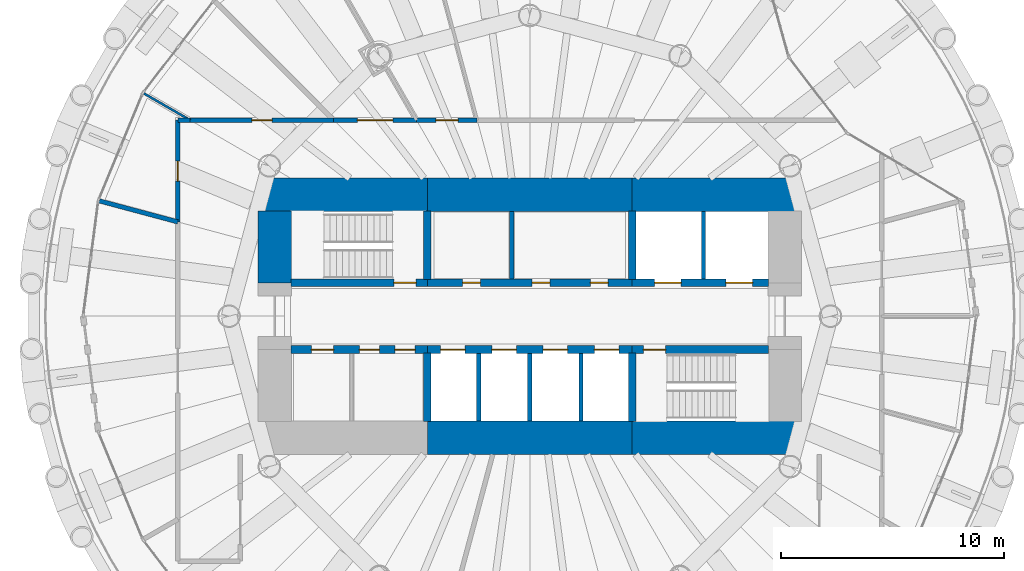
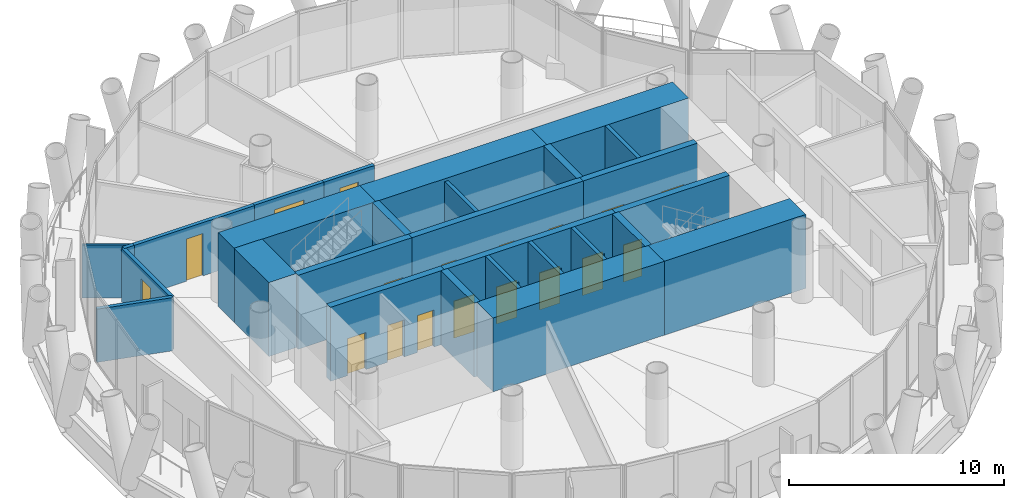
# One storey, part 9 of 14: 28 walls, 18 doors, 18 openings.
"""IFC4 building model written with IfcOpenShell, lengths in metres."""

from ifc_helpers import new_model, si_unit, direction, frame, frame_2d, origin, place, context, subcontext, project, spatial, rectangle, extrude, material, layer, layer_set, type_object, element, fill, save


model = new_model("IFC4")

# Units and contexts
model_context = context("Model", 3, precision=1e-05, world=origin(), true_north=direction((0.0, 1.0)))
body_context = subcontext(model_context, "Body", "Model", "MODEL_VIEW")
ifc_project = project(units=[si_unit("LENGTHUNIT", "METRE"), si_unit("AREAUNIT", "SQUARE_METRE"), si_unit("VOLUMEUNIT", "CUBIC_METRE"), si_unit("PLANEANGLEUNIT", "RADIAN"), si_unit("MASSUNIT", "GRAM", prefix="KILO")], contexts=[model_context])

# Site, building, storey
site_placement = place(None, origin())
site = spatial("IfcSite", under=ifc_project, at=site_placement, CompositionType="ELEMENT")
building_placement = place(site_placement, origin())
building = spatial("IfcBuilding", under=site, at=building_placement, Name="Qaws Media Tower", CompositionType="ELEMENT")
storey_placement = place(building_placement, frame((0.0, 0.0, 236.0)))
storey = spatial("IfcBuildingStorey", under=building, at=storey_placement, Name="L54", CompositionType="ELEMENT", Elevation=236.0)

# Wall, opening, door
ifc_material_1 = material(Name="Concrete C60/75", Category="concrete")
ifc_layer_1 = layer(ifc_material_1, 0.35009765625)
ifc_layer_set_1 = layer_set([ifc_layer_1], Name="Core inner wall 350")
wall_type_1 = type_object("IfcWallType", Name="Core inner wall 350", PredefinedType="SHEAR", material=ifc_layer_set_1)
wall_1_placement = place(storey_placement, frame((49.280029296875, 51.5, 0.0), z_axis=(0.0, 0.0, 1.0), x_axis=(1.0, 0.0, 0.0)))
wall_1 = element("IfcWall", 1, at=wall_1_placement, inside=storey, type_object=wall_type_1, Name="W301 SW5 core wall SPNW L54", PredefinedType="SHEAR", context=body_context, shape_type="SweptSolid", body=[
    extrude(rectangle(XDim=6.119873046875, YDim=0.35009765625, at=frame_2d((3.06005859375, 0.0))), origin(), (0.0, 0.0, 1.0), 4.199951171875),
])
opening_1_placement = place(wall_1_placement, frame((4.6201171875, 0.0, 0.0)))
opening_1 = element("IfcOpeningElement", 2, at=opening_1_placement, cuts=wall_1, Name="Opening D1", PredefinedType="OPENING", context=body_context, shape_type="SweptSolid", body=[
    extrude(rectangle(XDim=1.0, YDim=2.10009765625, at=frame_2d((0.5, 1.050048828125))), frame((0.0, 0.18505859375, 0.0), z_axis=(0.0, -1.0, 0.0), x_axis=(1.0, 0.0, 0.0)), (0.0, 0.0, 1.0), 0.3701171875),
])
ifc_material_2 = material(Name="Steel, fire rated", Category="steel")
door_type_1 = type_object("IfcDoorType", Name="Stair door 1000 FD120", OperationType="SINGLE_SWING_LEFT", PredefinedType="DOOR", material=ifc_material_2)
door_1_placement = place(opening_1_placement, origin())
door_1 = element("IfcDoor", 3, at=door_1_placement, inside=storey, type_object=door_type_1, Name="D1 stair S1 door L54 in wall W301", OperationType="SINGLE_SWING_LEFT", OverallHeight=2.10009765625, OverallWidth=1.0, PredefinedType="DOOR", context=body_context, shape_type="SweptSolid", body=[
    extrude(rectangle(XDim=1.0, YDim=2.10009765625, at=frame_2d((0.5, 1.050048828125))), frame((0.0, 0.02490234375, 0.0), z_axis=(0.0, -1.0, 0.0), x_axis=(1.0, 0.0, 0.0)), (0.0, 0.0, 1.0), 0.050048828125),
])
fill(opening_1, door_1)

# Wall, openings, doors
wall_2_placement = place(storey_placement, frame((55.39990234375, 51.5, 0.0), z_axis=(0.0, 0.0, 1.0), x_axis=(1.0, 0.0, 0.0)))
wall_2 = element("IfcWall", 4, at=wall_2_placement, inside=storey, type_object=wall_type_1, Name="W304 SW5 core wall SPN L54", PredefinedType="SHEAR", context=body_context, shape_type="SweptSolid", body=[
    extrude(rectangle(XDim=9.2001953125, YDim=0.35009765625, at=frame_2d((4.60009765625, 0.0))), origin(), (0.0, 0.0, 1.0), 4.199951171875),
])
opening_2_placement = place(wall_2_placement, frame((1.585205078125, 0.0, 0.0)))
opening_2 = element("IfcOpeningElement", 5, at=opening_2_placement, cuts=wall_2, Name="Opening D23", PredefinedType="OPENING", context=body_context, shape_type="SweptSolid", body=[
    extrude(rectangle(XDim=0.800048828125, YDim=2.10009765625, at=frame_2d((0.39990234375, 1.050048828125))), frame((0.0, 0.18505859375, 0.0), z_axis=(0.0, -1.0, 0.0), x_axis=(1.0, 0.0, 0.0)), (0.0, 0.0, 1.0), 0.3701171875),
])
opening_3_placement = place(wall_2_placement, frame((4.702880859375, 0.0, 0.0)))
opening_3 = element("IfcOpeningElement", 6, at=opening_3_placement, cuts=wall_2, Name="Opening D23", PredefinedType="OPENING", context=body_context, shape_type="SweptSolid", body=[
    extrude(rectangle(XDim=0.800048828125, YDim=2.10009765625, at=frame_2d((0.39990234375, 1.050048828125))), frame((0.0, 0.18505859375, 0.0), z_axis=(0.0, -1.0, 0.0), x_axis=(1.0, 0.0, 0.0)), (0.0, 0.0, 1.0), 0.3701171875),
])
opening_4_placement = place(wall_2_placement, frame((7.317626953125, 0.0, 0.0)))
opening_4 = element("IfcOpeningElement", 7, at=opening_4_placement, cuts=wall_2, Name="Opening D23", PredefinedType="OPENING", context=body_context, shape_type="SweptSolid", body=[
    extrude(rectangle(XDim=0.800048828125, YDim=2.10009765625, at=frame_2d((0.39990234375, 1.050048828125))), frame((0.0, 0.18505859375, 0.0), z_axis=(0.0, -1.0, 0.0), x_axis=(1.0, 0.0, 0.0)), (0.0, 0.0, 1.0), 0.3701171875),
])
ifc_material_3 = material(Name="Steel, fire rated", Category="steel")
door_type_2 = type_object("IfcDoorType", Name="Core room door 800x2100", OperationType="SINGLE_SWING_LEFT", PredefinedType="DOOR", material=ifc_material_3)
door_2_placement = place(opening_2_placement, origin())
door_2 = element("IfcDoor", 8, at=door_2_placement, inside=storey, type_object=door_type_2, Name="D23 Ladies toilets door L54 in wall W304", OperationType="SINGLE_SWING_LEFT", OverallHeight=2.10009765625, OverallWidth=0.800048828125, PredefinedType="DOOR", context=body_context, shape_type="SweptSolid", body=[
    extrude(rectangle(XDim=0.800048828125, YDim=2.10009765625, at=frame_2d((0.39990234375, 1.050048828125))), frame((0.0, 0.02490234375, 0.0), z_axis=(0.0, -1.0, 0.0), x_axis=(1.0, 0.0, 0.0)), (0.0, 0.0, 1.0), 0.050048828125),
])
fill(opening_2, door_2)
door_3_placement = place(opening_3_placement, origin())
door_3 = element("IfcDoor", 9, at=door_3_placement, inside=storey, type_object=door_type_2, Name="D23 Gents toilets door L54 2 in wall W304", OperationType="SINGLE_SWING_LEFT", OverallHeight=2.10009765625, OverallWidth=0.800048828125, PredefinedType="DOOR", context=body_context, shape_type="SweptSolid", body=[
    extrude(rectangle(XDim=0.800048828125, YDim=2.10009765625, at=frame_2d((0.39990234375, 1.050048828125))), frame((0.0, 0.02490234375, 0.0), z_axis=(0.0, -1.0, 0.0), x_axis=(1.0, 0.0, 0.0)), (0.0, 0.0, 1.0), 0.050048828125),
])
fill(opening_3, door_3)
door_4_placement = place(opening_4_placement, origin())
door_4 = element("IfcDoor", 10, at=door_4_placement, inside=storey, type_object=door_type_2, Name="D23 Gents toilets door L54 3 in wall W304", OperationType="SINGLE_SWING_LEFT", OverallHeight=2.10009765625, OverallWidth=0.800048828125, PredefinedType="DOOR", context=body_context, shape_type="SweptSolid", body=[
    extrude(rectangle(XDim=0.800048828125, YDim=2.10009765625, at=frame_2d((0.39990234375, 1.050048828125))), frame((0.0, 0.02490234375, 0.0), z_axis=(0.0, -1.0, 0.0), x_axis=(1.0, 0.0, 0.0)), (0.0, 0.0, 1.0), 0.050048828125),
])
fill(opening_4, door_4)

wall_3_placement = place(storey_placement, frame((64.60009765625, 51.5, 0.0), z_axis=(0.0, 0.0, 1.0), x_axis=(1.0, 0.0, 0.0)))
wall_3 = element("IfcWall", 11, at=wall_3_placement, inside=storey, type_object=wall_type_1, Name="W308 SW5 core wall SPNE L54", PredefinedType="SHEAR", context=body_context, shape_type="SweptSolid", body=[
    extrude(rectangle(XDim=6.119873046875, YDim=0.35009765625, at=frame_2d((3.06005859375, 0.0))), origin(), (0.0, 0.0, 1.0), 4.199951171875),
])
opening_5_placement = place(wall_3_placement, frame((1.0, 0.0, 0.0)))
opening_5 = element("IfcOpeningElement", 12, at=opening_5_placement, cuts=wall_3, Name="Opening LD2", PredefinedType="OPENING", context=body_context, shape_type="SweptSolid", body=[
    extrude(rectangle(XDim=1.199951171875, YDim=2.10009765625, at=frame_2d((0.60009765625, 1.050048828125))), frame((0.0, 0.18505859375, 0.0), z_axis=(0.0, -1.0, 0.0), x_axis=(1.0, 0.0, 0.0)), (0.0, 0.0, 1.0), 0.3701171875),
])
opening_6_placement = place(wall_3_placement, frame((4.199951171875, 0.0, 0.0)))
opening_6 = element("IfcOpeningElement", 13, at=opening_6_placement, cuts=wall_3, Name="Opening LD2", PredefinedType="OPENING", context=body_context, shape_type="SweptSolid", body=[
    extrude(rectangle(XDim=1.199951171875, YDim=2.10009765625, at=frame_2d((0.60009765625, 1.050048828125))), frame((0.0, 0.18505859375, 0.0), z_axis=(0.0, -1.0, 0.0), x_axis=(1.0, 0.0, 0.0)), (0.0, 0.0, 1.0), 0.3701171875),
])
ifc_material_4 = material(Name="Steel, fire rated", Category="steel")
door_type_3 = type_object("IfcDoorType", Name="Lift landing door 1200", OperationType="SLIDING_TO_LEFT", PredefinedType="DOOR", material=ifc_material_4)
door_5_placement = place(opening_5_placement, origin())
door_5 = element("IfcDoor", 14, at=door_5_placement, inside=storey, type_object=door_type_3, Name="FL1 landing door L54 in wall W308", OperationType="SLIDING_TO_LEFT", OverallHeight=2.10009765625, OverallWidth=1.199951171875, PredefinedType="DOOR", context=body_context, shape_type="SweptSolid", body=[
    extrude(rectangle(XDim=1.199951171875, YDim=2.10009765625, at=frame_2d((0.60009765625, 1.050048828125))), frame((0.0, 0.02490234375, 0.0), z_axis=(0.0, -1.0, 0.0), x_axis=(1.0, 0.0, 0.0)), (0.0, 0.0, 1.0), 0.050048828125),
])
fill(opening_5, door_5)
door_6_placement = place(opening_6_placement, origin())
door_6 = element("IfcDoor", 15, at=door_6_placement, inside=storey, type_object=door_type_3, Name="FL2 landing door L54 in wall W308", OperationType="SLIDING_TO_LEFT", OverallHeight=2.10009765625, OverallWidth=1.199951171875, PredefinedType="DOOR", context=body_context, shape_type="SweptSolid", body=[
    extrude(rectangle(XDim=1.199951171875, YDim=2.10009765625, at=frame_2d((0.60009765625, 1.050048828125))), frame((0.0, 0.02490234375, 0.0), z_axis=(0.0, -1.0, 0.0), x_axis=(1.0, 0.0, 0.0)), (0.0, 0.0, 1.0), 0.050048828125),
])
fill(opening_6, door_6)

wall_4_placement = place(storey_placement, frame((49.280029296875, 48.5, 0.0), z_axis=(0.0, 0.0, 1.0), x_axis=(1.0, 0.0, 0.0)))
wall_4 = element("IfcWall", 16, at=wall_4_placement, inside=storey, type_object=wall_type_1, Name="W300 SW5 core wall SPSW L54", PredefinedType="SHEAR", context=body_context, shape_type="SweptSolid", body=[
    extrude(rectangle(XDim=6.119873046875, YDim=0.35009765625, at=frame_2d((3.06005859375, 0.0))), origin(), (0.0, 0.0, 1.0), 4.199951171875),
])
opening_7_placement = place(wall_4_placement, frame((0.919921875, 0.0, 0.0)))
opening_7 = element("IfcOpeningElement", 17, at=opening_7_placement, cuts=wall_4, Name="Opening D4", PredefinedType="OPENING", context=body_context, shape_type="SweptSolid", body=[
    extrude(rectangle(XDim=1.0, YDim=2.10009765625, at=frame_2d((0.5, 1.050048828125))), frame((0.0, 0.18505859375, 0.0), z_axis=(0.0, -1.0, 0.0), x_axis=(1.0, 0.0, 0.0)), (0.0, 0.0, 1.0), 0.3701171875),
])
opening_8_placement = place(wall_4_placement, frame((3.070068359375, 0.0, 0.0)))
opening_8 = element("IfcOpeningElement", 18, at=opening_8_placement, cuts=wall_4, Name="Opening D3", PredefinedType="OPENING", context=body_context, shape_type="SweptSolid", body=[
    extrude(rectangle(XDim=0.89990234375, YDim=2.10009765625, at=frame_2d((0.449951171875, 1.050048828125))), frame((0.0, 0.18505859375, 0.0), z_axis=(0.0, -1.0, 0.0), x_axis=(1.0, 0.0, 0.0)), (0.0, 0.0, 1.0), 0.3701171875),
])
opening_9_placement = place(wall_4_placement, frame((4.669921875, 0.0, 0.0)))
opening_9 = element("IfcOpeningElement", 19, at=opening_9_placement, cuts=wall_4, Name="Opening D3", PredefinedType="OPENING", context=body_context, shape_type="SweptSolid", body=[
    extrude(rectangle(XDim=0.89990234375, YDim=2.10009765625, at=frame_2d((0.449951171875, 1.050048828125))), frame((0.0, 0.18505859375, 0.0), z_axis=(0.0, -1.0, 0.0), x_axis=(1.0, 0.0, 0.0)), (0.0, 0.0, 1.0), 0.3701171875),
])
ifc_material_5 = material(Name="Timber veneered", Category="wood")
door_type_4 = type_object("IfcDoorType", Name="Accessible WC door 1000", OperationType="SLIDING_TO_LEFT", PredefinedType="DOOR", material=ifc_material_5)
door_7_placement = place(opening_7_placement, origin())
door_7 = element("IfcDoor", 20, at=door_7_placement, inside=storey, type_object=door_type_4, Name="D4 toilet door 1 L54 in wall W300", OperationType="SLIDING_TO_LEFT", OverallHeight=2.10009765625, OverallWidth=1.0, PredefinedType="DOOR", context=body_context, shape_type="SweptSolid", body=[
    extrude(rectangle(XDim=1.0, YDim=2.10009765625, at=frame_2d((0.5, 1.050048828125))), frame((0.0, 0.02490234375, 0.0), z_axis=(0.0, -1.0, 0.0), x_axis=(1.0, 0.0, 0.0)), (0.0, 0.0, 1.0), 0.050048828125),
])
fill(opening_7, door_7)
ifc_material_6 = material(Name="Timber veneered", Category="wood")
door_type_5 = type_object("IfcDoorType", Name="Toilet door 900", OperationType="SINGLE_SWING_RIGHT", PredefinedType="DOOR", material=ifc_material_6)
door_8_placement = place(opening_8_placement, origin())
door_8 = element("IfcDoor", 21, at=door_8_placement, inside=storey, type_object=door_type_5, Name="D3 toilet door 2 L54 in wall W300", OperationType="SINGLE_SWING_RIGHT", OverallHeight=2.10009765625, OverallWidth=0.89990234375, PredefinedType="DOOR", context=body_context, shape_type="SweptSolid", body=[
    extrude(rectangle(XDim=0.89990234375, YDim=2.10009765625, at=frame_2d((0.449951171875, 1.050048828125))), frame((0.0, 0.02490234375, 0.0), z_axis=(0.0, -1.0, 0.0), x_axis=(1.0, 0.0, 0.0)), (0.0, 0.0, 1.0), 0.050048828125),
])
fill(opening_8, door_8)
door_9_placement = place(opening_9_placement, origin())
door_9 = element("IfcDoor", 22, at=door_9_placement, inside=storey, type_object=door_type_5, Name="D3 toilet door 3 L54 in wall W300", OperationType="SINGLE_SWING_RIGHT", OverallHeight=2.10009765625, OverallWidth=0.89990234375, PredefinedType="DOOR", context=body_context, shape_type="SweptSolid", body=[
    extrude(rectangle(XDim=0.89990234375, YDim=2.10009765625, at=frame_2d((0.449951171875, 1.050048828125))), frame((0.0, 0.02490234375, 0.0), z_axis=(0.0, -1.0, 0.0), x_axis=(1.0, 0.0, 0.0)), (0.0, 0.0, 1.0), 0.050048828125),
])
fill(opening_9, door_9)

wall_5_placement = place(storey_placement, frame((55.39990234375, 48.5, 0.0), z_axis=(0.0, 0.0, 1.0), x_axis=(1.0, 0.0, 0.0)))
wall_5 = element("IfcWall", 23, at=wall_5_placement, inside=storey, type_object=wall_type_1, Name="W303 SW5 core wall SPS L54", PredefinedType="SHEAR", context=body_context, shape_type="SweptSolid", body=[
    extrude(rectangle(XDim=9.2001953125, YDim=0.35009765625, at=frame_2d((4.60009765625, 0.0))), origin(), (0.0, 0.0, 1.0), 4.199951171875),
])
opening_10_placement = place(wall_5_placement, frame((0.60009765625, 0.0, 0.0)))
opening_10 = element("IfcOpeningElement", 24, at=opening_10_placement, cuts=wall_5, Name="Opening LD", PredefinedType="OPENING", context=body_context, shape_type="SweptSolid", body=[
    extrude(rectangle(XDim=1.10009765625, YDim=2.10009765625, at=frame_2d((0.550048828125, 1.050048828125))), frame((0.0, 0.18505859375, 0.0), z_axis=(0.0, -1.0, 0.0), x_axis=(1.0, 0.0, 0.0)), (0.0, 0.0, 1.0), 0.3701171875),
])
opening_11_placement = place(wall_5_placement, frame((2.89990234375, 0.0, 0.0)))
opening_11 = element("IfcOpeningElement", 25, at=opening_11_placement, cuts=wall_5, Name="Opening LD", PredefinedType="OPENING", context=body_context, shape_type="SweptSolid", body=[
    extrude(rectangle(XDim=1.10009765625, YDim=2.10009765625, at=frame_2d((0.550048828125, 1.050048828125))), frame((0.0, 0.18505859375, 0.0), z_axis=(0.0, -1.0, 0.0), x_axis=(1.0, 0.0, 0.0)), (0.0, 0.0, 1.0), 0.3701171875),
])
opening_12_placement = place(wall_5_placement, frame((5.199951171875, 0.0, 0.0)))
opening_12 = element("IfcOpeningElement", 26, at=opening_12_placement, cuts=wall_5, Name="Opening LD", PredefinedType="OPENING", context=body_context, shape_type="SweptSolid", body=[
    extrude(rectangle(XDim=1.10009765625, YDim=2.10009765625, at=frame_2d((0.550048828125, 1.050048828125))), frame((0.0, 0.18505859375, 0.0), z_axis=(0.0, -1.0, 0.0), x_axis=(1.0, 0.0, 0.0)), (0.0, 0.0, 1.0), 0.3701171875),
])
opening_13_placement = place(wall_5_placement, frame((7.5, 0.0, 0.0)))
opening_13 = element("IfcOpeningElement", 27, at=opening_13_placement, cuts=wall_5, Name="Opening LD", PredefinedType="OPENING", context=body_context, shape_type="SweptSolid", body=[
    extrude(rectangle(XDim=1.10009765625, YDim=2.10009765625, at=frame_2d((0.550048828125, 1.050048828125))), frame((0.0, 0.18505859375, 0.0), z_axis=(0.0, -1.0, 0.0), x_axis=(1.0, 0.0, 0.0)), (0.0, 0.0, 1.0), 0.3701171875),
])
ifc_material_7 = material(Name="Steel, fire rated", Category="steel")
door_type_6 = type_object("IfcDoorType", Name="Lift landing door 1100", OperationType="SLIDING_TO_LEFT", PredefinedType="DOOR", material=ifc_material_7)
door_10_placement = place(opening_10_placement, origin())
door_10 = element("IfcDoor", 28, at=door_10_placement, inside=storey, type_object=door_type_6, Name="P5 landing door L54 in wall W303", OperationType="SLIDING_TO_LEFT", OverallHeight=2.10009765625, OverallWidth=1.10009765625, PredefinedType="DOOR", context=body_context, shape_type="SweptSolid", body=[
    extrude(rectangle(XDim=1.10009765625, YDim=2.10009765625, at=frame_2d((0.550048828125, 1.050048828125))), frame((0.0, 0.02490234375, 0.0), z_axis=(0.0, -1.0, 0.0), x_axis=(1.0, 0.0, 0.0)), (0.0, 0.0, 1.0), 0.050048828125),
])
fill(opening_10, door_10)
door_11_placement = place(opening_11_placement, origin())
door_11 = element("IfcDoor", 29, at=door_11_placement, inside=storey, type_object=door_type_6, Name="P6 landing door L54 in wall W303", OperationType="SLIDING_TO_LEFT", OverallHeight=2.10009765625, OverallWidth=1.10009765625, PredefinedType="DOOR", context=body_context, shape_type="SweptSolid", body=[
    extrude(rectangle(XDim=1.10009765625, YDim=2.10009765625, at=frame_2d((0.550048828125, 1.050048828125))), frame((0.0, 0.02490234375, 0.0), z_axis=(0.0, -1.0, 0.0), x_axis=(1.0, 0.0, 0.0)), (0.0, 0.0, 1.0), 0.050048828125),
])
fill(opening_11, door_11)
door_12_placement = place(opening_12_placement, origin())
door_12 = element("IfcDoor", 30, at=door_12_placement, inside=storey, type_object=door_type_6, Name="P7 landing door L54 in wall W303", OperationType="SLIDING_TO_LEFT", OverallHeight=2.10009765625, OverallWidth=1.10009765625, PredefinedType="DOOR", context=body_context, shape_type="SweptSolid", body=[
    extrude(rectangle(XDim=1.10009765625, YDim=2.10009765625, at=frame_2d((0.550048828125, 1.050048828125))), frame((0.0, 0.02490234375, 0.0), z_axis=(0.0, -1.0, 0.0), x_axis=(1.0, 0.0, 0.0)), (0.0, 0.0, 1.0), 0.050048828125),
])
fill(opening_12, door_12)
door_13_placement = place(opening_13_placement, origin())
door_13 = element("IfcDoor", 31, at=door_13_placement, inside=storey, type_object=door_type_6, Name="P8 landing door L54 in wall W303", OperationType="SLIDING_TO_LEFT", OverallHeight=2.10009765625, OverallWidth=1.10009765625, PredefinedType="DOOR", context=body_context, shape_type="SweptSolid", body=[
    extrude(rectangle(XDim=1.10009765625, YDim=2.10009765625, at=frame_2d((0.550048828125, 1.050048828125))), frame((0.0, 0.02490234375, 0.0), z_axis=(0.0, -1.0, 0.0), x_axis=(1.0, 0.0, 0.0)), (0.0, 0.0, 1.0), 0.050048828125),
])
fill(opening_13, door_13)

# Wall, opening, door
wall_6_placement = place(storey_placement, frame((64.60009765625, 48.5, 0.0), z_axis=(0.0, 0.0, 1.0), x_axis=(1.0, 0.0, 0.0)))
wall_6 = element("IfcWall", 32, at=wall_6_placement, inside=storey, type_object=wall_type_1, Name="W307 SW5 core wall SPSE L54", PredefinedType="SHEAR", context=body_context, shape_type="SweptSolid", body=[
    extrude(rectangle(XDim=6.119873046875, YDim=0.35009765625, at=frame_2d((3.06005859375, 0.0))), origin(), (0.0, 0.0, 1.0), 4.199951171875),
])
opening_14_placement = place(wall_6_placement, frame((0.5, 0.0, 0.0)))
opening_14 = element("IfcOpeningElement", 33, at=opening_14_placement, cuts=wall_6, Name="Opening D1", PredefinedType="OPENING", context=body_context, shape_type="SweptSolid", body=[
    extrude(rectangle(XDim=1.0, YDim=2.10009765625, at=frame_2d((0.5, 1.050048828125))), frame((0.0, 0.18505859375, 0.0), z_axis=(0.0, -1.0, 0.0), x_axis=(1.0, 0.0, 0.0)), (0.0, 0.0, 1.0), 0.3701171875),
])
door_14_placement = place(opening_14_placement, origin())
door_14 = element("IfcDoor", 34, at=door_14_placement, inside=storey, type_object=door_type_1, Name="D1 stair S2 door L54 in wall W307", OperationType="SINGLE_SWING_LEFT", OverallHeight=2.10009765625, OverallWidth=1.0, PredefinedType="DOOR", context=body_context, shape_type="SweptSolid", body=[
    extrude(rectangle(XDim=1.0, YDim=2.10009765625, at=frame_2d((0.5, 1.050048828125))), frame((0.0, 0.02490234375, 0.0), z_axis=(0.0, -1.0, 0.0), x_axis=(1.0, 0.0, 0.0)), (0.0, 0.0, 1.0), 0.050048828125),
])
fill(opening_14, door_14)

# Walls
for number, where, z_axis, x_axis, name in (
    (35, (55.39990234375, 51.655029296875, 0.0), (0.0, 0.0, 1.0), (0.0, 1.0, 0.0), "W305 SW5 core wall XNW L54"),
    (36, (64.60009765625, 51.655029296875, 0.0), (0.0, 0.0, 1.0), (0.0, 1.0, 0.0), "W309 SW5 core wall XNE L54"),
    (37, (55.39990234375, 48.344970703125, 0.0), (0.0, 0.0, 1.0), (0.0, -1.0, 0.0), "W302 SW5 core wall XSW L54"),
    (38, (64.60009765625, 48.344970703125, 0.0), (0.0, 0.0, 1.0), (0.0, -1.0, 0.0), "W306 SW5 core wall XSE L54"),
):
    element("IfcWall", number, at=place(storey_placement, frame(where, z_axis=z_axis, x_axis=x_axis)), inside=storey, type_object=wall_type_1, Name=name, PredefinedType="SHEAR", context=body_context, shape_type="SweptSolid", body=[
        extrude(rectangle(XDim=3.06494140625, YDim=0.35009765625, at=frame_2d((1.532470703125, 0.0))), origin(), (0.0, 0.0, 1.0), 4.199951171875),
    ])
ifc_material_8 = material(Name="Concrete C60/75", Category="concrete")
ifc_layer_2 = layer(ifc_material_8, 1.5)
ifc_layer_set_2 = layer_set([ifc_layer_2], Name="Core wall 1500")
wall_type_2 = type_object("IfcWallType", Name="Core wall 1500", PredefinedType="SHEAR", material=ifc_layer_set_2)
wall_7_placement = place(storey_placement, frame((47.800048828125, 55.449951171875, 0.0), z_axis=(0.0, 0.0, 1.0), x_axis=(1.0, 0.0, 0.0)))
element("IfcWall", 39, at=wall_7_placement, inside=storey, type_object=wall_type_2, Name="W377 SW13 core wall NW L54", PredefinedType="SHEAR", context=body_context, shape_type="SweptSolid", body=[
    extrude(rectangle(XDim=7.599853515625, YDim=1.5, at=frame_2d((3.7998046875, 0.0))), origin(), (0.0, 0.0, 1.0), 4.199951171875),
])
wall_8_placement = place(storey_placement, frame((55.39990234375, 55.449951171875, 0.0), z_axis=(0.0, 0.0, 1.0), x_axis=(1.0, 0.0, 0.0)))
element("IfcWall", 40, at=wall_8_placement, inside=storey, type_object=wall_type_2, Name="W373 SW13 core wall N L54", PredefinedType="SHEAR", context=body_context, shape_type="SweptSolid", body=[
    extrude(rectangle(XDim=9.2001953125, YDim=1.5, at=frame_2d((4.60009765625, 0.0))), origin(), (0.0, 0.0, 1.0), 4.199951171875),
])
wall_9_placement = place(storey_placement, frame((64.60009765625, 55.449951171875, 0.0), z_axis=(0.0, 0.0, 1.0), x_axis=(1.0, 0.0, 0.0)))
element("IfcWall", 41, at=wall_9_placement, inside=storey, type_object=wall_type_2, Name="W382 SW13 core wall NE L54", PredefinedType="SHEAR", context=body_context, shape_type="SweptSolid", body=[
    extrude(rectangle(XDim=7.599853515625, YDim=1.5, at=frame_2d((3.7998046875, 0.0))), origin(), (0.0, 0.0, 1.0), 4.199951171875),
])
wall_10_placement = place(storey_placement, frame((55.39990234375, 44.550048828125, 0.0), z_axis=(0.0, 0.0, 1.0), x_axis=(1.0, 0.0, 0.0)))
element("IfcWall", 42, at=wall_10_placement, inside=storey, type_object=wall_type_2, Name="W372 SW13 core wall S L54", PredefinedType="SHEAR", context=body_context, shape_type="SweptSolid", body=[
    extrude(rectangle(XDim=9.2001953125, YDim=1.5, at=frame_2d((4.60009765625, 0.0))), origin(), (0.0, 0.0, 1.0), 4.199951171875),
])
wall_11_placement = place(storey_placement, frame((64.60009765625, 44.550048828125, 0.0), z_axis=(0.0, 0.0, 1.0), x_axis=(1.0, 0.0, 0.0)))
element("IfcWall", 43, at=wall_11_placement, inside=storey, type_object=wall_type_2, Name="W381 SW13 core wall SE L54", PredefinedType="SHEAR", context=body_context, shape_type="SweptSolid", body=[
    extrude(rectangle(XDim=7.599853515625, YDim=1.5, at=frame_2d((3.7998046875, 0.0))), origin(), (0.0, 0.0, 1.0), 4.199951171875),
])
wall_12_placement = place(storey_placement, frame((48.550048828125, 51.5, 0.0), z_axis=(0.0, 0.0, 1.0), x_axis=(0.0, 1.0, 0.0)))
element("IfcWall", 44, at=wall_12_placement, inside=storey, type_object=wall_type_2, Name="W380 SW13 core wall WN L54", PredefinedType="SHEAR", context=body_context, shape_type="SweptSolid", body=[
    extrude(rectangle(XDim=3.219970703125, YDim=1.5, at=frame_2d((1.60986328125, 0.0))), origin(), (0.0, 0.0, 1.0), 4.199951171875),
])
ifc_material_9 = material(Name="Gypsum board on 70 metal studs, single layer each side", Category="gypsum")
ifc_layer_3 = layer(ifc_material_9, 0.10009765625)
ifc_layer_set_3 = layer_set([ifc_layer_3], Name="Office stud partition 100")
wall_type_3 = type_object("IfcWallType", Name="Office stud partition 100", PredefinedType="PARTITIONING", material=ifc_layer_set_3)
wall_13_placement = place(storey_placement, frame((44.758056640625, 58.800048828125, 0.0), z_axis=(0.0, 0.0, 1.0), x_axis=(-0.866059067212, 0.499941688699, 0.0)))
element("IfcWall", 45, at=wall_13_placement, inside=storey, type_object=wall_type_3, Name="W695 IW4 partition L54", PredefinedType="PARTITIONING", context=body_context, shape_type="SweptSolid", body=[
    extrude(rectangle(XDim=2.409912109375, YDim=0.10009765625, at=frame_2d((1.205078125, 0.0))), origin(), (0.0, 0.0, 1.0), 3.02001953125),
])
ifc_material_10 = material(Name="Gypsum board on galvanised metal studs, acoustic double stud, deflection head", Category="gypsum")
ifc_layer_4 = layer(ifc_material_10, 0.199951171875)
ifc_layer_set_4 = layer_set([ifc_layer_4], Name="Room partition 200")
wall_type_4 = type_object("IfcWallType", Name="Room partition 200", PredefinedType="PARTITIONING", material=ifc_layer_set_4)
wall_14_placement = place(storey_placement, frame((44.199951171875, 58.800048828125, 0.0), z_axis=(0.0, 0.0, 1.0), x_axis=(1.0, 0.0, 0.0)))
element("IfcWall", 46, at=wall_14_placement, inside=storey, type_object=wall_type_4, Name="W1613 IW3 partition L54", PredefinedType="PARTITIONING", context=body_context, shape_type="SweptSolid", body=[
    extrude(rectangle(XDim=0.55810546875, YDim=0.199951171875, at=frame_2d((0.279052734375, 0.0))), origin(), (0.0, 0.0, 1.0), 3.02001953125),
])

# Wall, opening, door
wall_15_placement = place(storey_placement, frame((44.758056640625, 58.800048828125, 0.0), z_axis=(0.0, 0.0, 1.0), x_axis=(1.0, 0.0, 0.0)))
wall_15 = element("IfcWall", 47, at=wall_15_placement, inside=storey, type_object=wall_type_4, Name="W1615 IW3 partition L54", PredefinedType="PARTITIONING", context=body_context, shape_type="SweptSolid", body=[
    extrude(rectangle(XDim=6.44189453125, YDim=0.199951171875, at=frame_2d((3.220947265625, 0.0))), origin(), (0.0, 0.0, 1.0), 3.02001953125),
])
opening_15_placement = place(wall_15_placement, frame((2.77099609375, 0.0, 0.0)))
opening_15 = element("IfcOpeningElement", 48, at=opening_15_placement, cuts=wall_15, Name="Opening D12", PredefinedType="OPENING", context=body_context, shape_type="SweptSolid", body=[
    extrude(rectangle(XDim=0.89990234375, YDim=2.39990234375, at=frame_2d((0.449951171875, 1.199951171875))), frame((0.0, 0.10986328125, 0.0), z_axis=(0.0, -1.0, 0.0), x_axis=(1.0, 0.0, 0.0)), (0.0, 0.0, 1.0), 0.219970703125),
])
ifc_material_11 = material(Name="Timber veneered, full height", Category="wood")
door_type_7 = type_object("IfcDoorType", Name="Office door 900x2400", OperationType="SINGLE_SWING_LEFT", PredefinedType="DOOR", material=ifc_material_11)
door_15_placement = place(opening_15_placement, origin())
door_15 = element("IfcDoor", 49, at=door_15_placement, inside=storey, type_object=door_type_7, Name="D12 Office door L54 in wall W1615", OperationType="SINGLE_SWING_LEFT", OverallHeight=2.39990234375, OverallWidth=0.89990234375, PredefinedType="DOOR", context=body_context, shape_type="SweptSolid", body=[
    extrude(rectangle(XDim=0.89990234375, YDim=2.39990234375, at=frame_2d((0.449951171875, 1.199951171875))), frame((0.0, 0.02490234375, 0.0), z_axis=(0.0, -1.0, 0.0), x_axis=(1.0, 0.0, 0.0)), (0.0, 0.0, 1.0), 0.050048828125),
])
fill(opening_15, door_15)

wall_16_placement = place(storey_placement, frame((51.199951171875, 58.800048828125, 0.0), z_axis=(0.0, 0.0, 1.0), x_axis=(1.0, 0.0, 0.0)))
wall_16 = element("IfcWall", 50, at=wall_16_placement, inside=storey, type_object=wall_type_4, Name="W1529 IW3 partition L54", PredefinedType="PARTITIONING", context=body_context, shape_type="SweptSolid", body=[
    extrude(rectangle(XDim=3.71923828125, YDim=0.199951171875, at=frame_2d((1.859619140625, 0.0))), origin(), (0.0, 0.0, 1.0), 3.0400390625),
])
opening_16_placement = place(wall_16_placement, frame((1.059814453125, 0.0, 0.0)))
opening_16 = element("IfcOpeningElement", 51, at=opening_16_placement, cuts=wall_16, Name="Opening D16", PredefinedType="OPENING", context=body_context, shape_type="SweptSolid", body=[
    extrude(rectangle(XDim=1.60009765625, YDim=2.39990234375, at=frame_2d((0.800048828125, 1.199951171875))), frame((0.0, 0.10986328125, 0.0), z_axis=(0.0, -1.0, 0.0), x_axis=(1.0, 0.0, 0.0)), (0.0, 0.0, 1.0), 0.219970703125),
])
ifc_material_12 = material(Name="Glazed aluminium, fire rated", Category="aluminium")
door_type_8 = type_object("IfcDoorType", Name="Tenant entrance door pair 1600x2400", OperationType="DOUBLE_DOOR_DOUBLE_SWING", PredefinedType="DOOR", material=ifc_material_12)
door_16_placement = place(opening_16_placement, origin())
door_16 = element("IfcDoor", 52, at=door_16_placement, inside=storey, type_object=door_type_8, Name="D16 Tenant reception door L54 in wall W1529", OperationType="DOUBLE_DOOR_DOUBLE_SWING", OverallHeight=2.39990234375, OverallWidth=1.60009765625, PredefinedType="DOOR", context=body_context, shape_type="SweptSolid", body=[
    extrude(rectangle(XDim=1.60009765625, YDim=2.39990234375, at=frame_2d((0.800048828125, 1.199951171875))), frame((0.0, 0.02490234375, 0.0), z_axis=(0.0, -1.0, 0.0), x_axis=(1.0, 0.0, 0.0)), (0.0, 0.0, 1.0), 0.050048828125),
])
fill(opening_16, door_16)

wall_17_placement = place(storey_placement, frame((54.919189453125, 58.800048828125, 0.0), z_axis=(0.0, 0.0, 1.0), x_axis=(1.0, 0.0, 0.0)))
wall_17 = element("IfcWall", 53, at=wall_17_placement, inside=storey, type_object=wall_type_4, Name="W1617 IW3 partition L54", PredefinedType="PARTITIONING", context=body_context, shape_type="SweptSolid", body=[
    extrude(rectangle(XDim=2.722900390625, YDim=0.199951171875, at=frame_2d((1.361328125, 0.0))), origin(), (0.0, 0.0, 1.0), 3.0400390625),
])
opening_17_placement = place(wall_17_placement, frame((0.861328125, 0.0, 0.0)))
opening_17 = element("IfcOpeningElement", 54, at=opening_17_placement, cuts=wall_17, Name="Opening D13", PredefinedType="OPENING", context=body_context, shape_type="SweptSolid", body=[
    extrude(rectangle(XDim=1.0, YDim=2.39990234375, at=frame_2d((0.5, 1.199951171875))), frame((0.0, 0.10986328125, 0.0), z_axis=(0.0, -1.0, 0.0), x_axis=(1.0, 0.0, 0.0)), (0.0, 0.0, 1.0), 0.219970703125),
])
ifc_material_13 = material(Name="Frameless toughened glass, acoustic seals", Category="glass")
door_type_9 = type_object("IfcDoorType", Name="Glazed meeting room door 1000x2400", OperationType="SINGLE_SWING_LEFT", PredefinedType="DOOR", material=ifc_material_13)
door_17_placement = place(opening_17_placement, origin())
door_17 = element("IfcDoor", 55, at=door_17_placement, inside=storey, type_object=door_type_9, Name="D13 Meeting room door L54 in wall W1617", OperationType="SINGLE_SWING_LEFT", OverallHeight=2.39990234375, OverallWidth=1.0, PredefinedType="DOOR", context=body_context, shape_type="SweptSolid", body=[
    extrude(rectangle(XDim=1.0, YDim=2.39990234375, at=frame_2d((0.5, 1.199951171875))), frame((0.0, 0.02490234375, 0.0), z_axis=(0.0, -1.0, 0.0), x_axis=(1.0, 0.0, 0.0)), (0.0, 0.0, 1.0), 0.050048828125),
])
fill(opening_17, door_17)

wall_18_placement = place(storey_placement, frame((44.199951171875, 54.233642578125, 0.0), z_axis=(0.0, 0.0, 1.0), x_axis=(0.0, 1.0, 0.0)))
wall_18 = element("IfcWall", 56, at=wall_18_placement, inside=storey, type_object=wall_type_4, Name="W1612 IW3 partition L54", PredefinedType="PARTITIONING", context=body_context, shape_type="SweptSolid", body=[
    extrude(rectangle(XDim=4.56640625, YDim=0.199951171875, at=frame_2d((2.283203125, 0.0))), origin(), (0.0, 0.0, 1.0), 3.02001953125),
])
opening_18_placement = place(wall_18_placement, frame((1.833251953125, 0.0, 0.0)))
opening_18 = element("IfcOpeningElement", 57, at=opening_18_placement, cuts=wall_18, Name="Opening D12", PredefinedType="OPENING", context=body_context, shape_type="SweptSolid", body=[
    extrude(rectangle(XDim=0.89990234375, YDim=2.39990234375, at=frame_2d((0.449951171875, 1.199951171875))), frame((0.0, 0.10986328125, 0.0), z_axis=(0.0, -1.0, 0.0), x_axis=(1.0, 0.0, 0.0)), (0.0, 0.0, 1.0), 0.219970703125),
])
door_18_placement = place(opening_18_placement, origin())
door_18 = element("IfcDoor", 58, at=door_18_placement, inside=storey, type_object=door_type_7, Name="D12 Office door L54 in wall W1612", OperationType="SINGLE_SWING_LEFT", OverallHeight=2.39990234375, OverallWidth=0.89990234375, PredefinedType="DOOR", context=body_context, shape_type="SweptSolid", body=[
    extrude(rectangle(XDim=0.89990234375, YDim=2.39990234375, at=frame_2d((0.449951171875, 1.199951171875))), frame((0.0, 0.02490234375, 0.0), z_axis=(0.0, -1.0, 0.0), x_axis=(1.0, 0.0, 0.0)), (0.0, 0.0, 1.0), 0.050048828125),
])
fill(opening_18, door_18)

# Walls
wall_19_placement = place(storey_placement, frame((44.197509765625, 54.234375, 0.0), z_axis=(0.0, 0.0, 1.0), x_axis=(-0.965933422505, 0.258790693974, 0.0)))
element("IfcWall", 59, at=wall_19_placement, inside=storey, type_object=wall_type_4, Name="W1636 IW3 partition L54", PredefinedType="PARTITIONING", context=body_context, shape_type="SweptSolid", body=[
    extrude(rectangle(XDim=3.64990234375, YDim=0.199951171875, at=frame_2d((1.824951171875, 0.0))), origin(), (0.0, 0.0, 1.0), 3.02001953125),
])
wall_20_placement = place(storey_placement, frame((59.195556640625, 51.675048828125, 0.0), z_axis=(0.0, 0.0, 1.0), x_axis=(0.0, 1.0, 0.0)))
element("IfcWall", 60, at=wall_20_placement, inside=storey, type_object=wall_type_4, Name="W1536 IW3 core room partition 1 L54", PredefinedType="PARTITIONING", context=body_context, shape_type="SweptSolid", body=[
    extrude(rectangle(XDim=3.02490234375, YDim=0.199951171875, at=frame_2d((1.512451171875, 0.0))), origin(), (0.0, 0.0, 1.0), 4.0400390625),
])
ifc_material_14 = material(Name="Fire-rated gypsum board shaft wall on galvanised metal studs, deflection head", Category="gypsum")
ifc_layer_5 = layer(ifc_material_14, 0.199951171875)
ifc_layer_set_5 = layer_set([ifc_layer_5], Name="Shaft wall 200")
wall_type_5 = type_object("IfcWallType", Name="Shaft wall 200", PredefinedType="PARTITIONING", material=ifc_layer_set_5)
for number, where, z_axis, x_axis, name in (
    (61, (57.699951171875, 45.300048828125, 0.0), (0.0, 0.0, 1.0), (0.0, 1.0, 0.0), "W1871 IW1 shaft wall S1 L54"),
    (62, (60.0, 45.300048828125, 0.0), (0.0, 0.0, 1.0), (0.0, 1.0, 0.0), "W1872 IW1 shaft wall S2 L54"),
    (63, (62.300048828125, 45.300048828125, 0.0), (0.0, 0.0, 1.0), (0.0, 1.0, 0.0), "W1873 IW1 shaft wall S3 L54"),
    (64, (67.800048828125, 51.675048828125, 0.0), (0.0, 0.0, 1.0), (0.0, 1.0, 0.0), "W1874 IW1 shaft wall FL L54"),
):
    element("IfcWall", number, at=place(storey_placement, frame(where, z_axis=z_axis, x_axis=x_axis)), inside=storey, type_object=wall_type_5, Name=name, PredefinedType="PARTITIONING", context=body_context, shape_type="SweptSolid", body=[
        extrude(rectangle(XDim=3.02490234375, YDim=0.199951171875, at=frame_2d((1.512451171875, 0.0))), origin(), (0.0, 0.0, 1.0), 4.199951171875),
    ])

save(model, "model.ifc")
